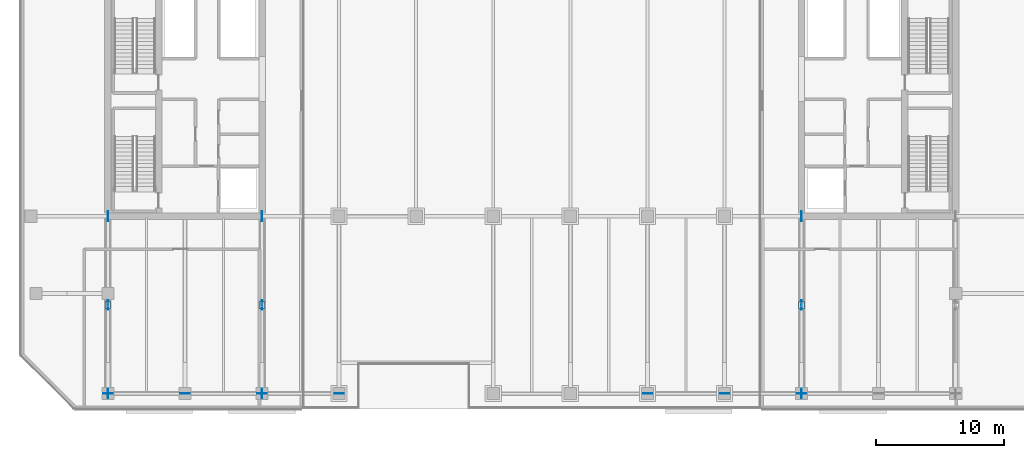
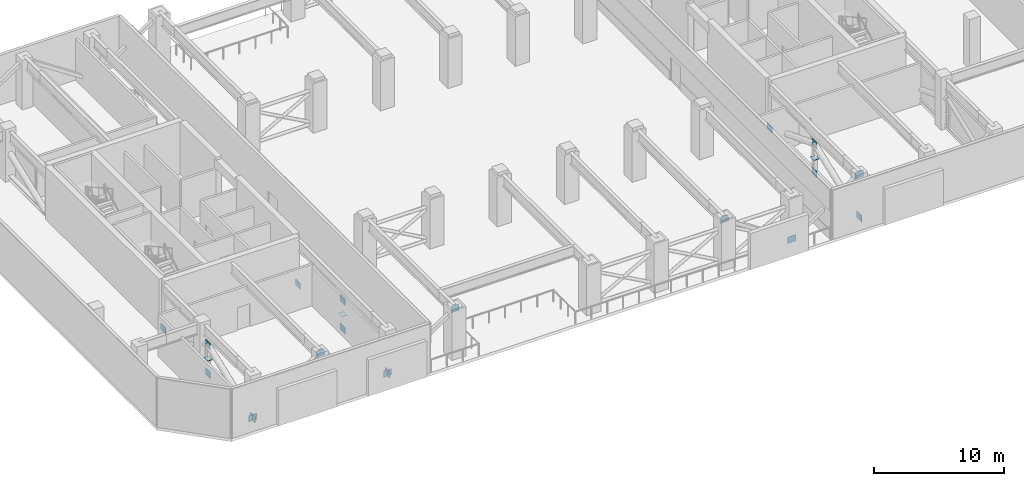
# One storey, part 10 of 21: 22 plates.
"""IFC4 building model written with IfcOpenShell, lengths in metres."""

from ifc_helpers import new_model, si_unit, direction, frame, origin, origin_2d, place, context, subcontext, project, spatial, rectangle, extrude, material, layer, layer_set, type_object, element, save


model = new_model("IFC4")

# Units and contexts
model_context = context("Model", 3, precision=1e-05, world=origin(), true_north=direction((0.0, 1.0)))
body_context = subcontext(model_context, "Body", "Model", "MODEL_VIEW")
ifc_project = project(units=[si_unit("LENGTHUNIT", "METRE"), si_unit("AREAUNIT", "SQUARE_METRE"), si_unit("VOLUMEUNIT", "CUBIC_METRE"), si_unit("PLANEANGLEUNIT", "RADIAN"), si_unit("MASSUNIT", "GRAM", prefix="KILO")], contexts=[model_context])

# Site, building, storey
site_placement = place(None, origin())
site = spatial("IfcSite", under=ifc_project, at=site_placement, CompositionType="ELEMENT")
building_placement = place(site_placement, origin())
building = spatial("IfcBuilding", under=site, at=building_placement, Name="Tanjung Sevakor Pilgrim Tower", CompositionType="ELEMENT")
storey_placement = place(building_placement, frame((0.0, 0.0, 123.090087890625)))
storey = spatial("IfcBuildingStorey", under=building, at=storey_placement, Name="L34", CompositionType="ELEMENT", Elevation=123.090087890625)

# Plates
ifc_material_1 = material(Name="Steel S460M", Category="steel")
ifc_layer_1 = layer(ifc_material_1, 0.028076171875)
ifc_layer_set_1 = layer_set([ifc_layer_1], Name="PL-CAP-28")
plate_type_1 = type_object("IfcPlateType", Name="PL-CAP-28", PredefinedType="USERDEFINED", material=ifc_layer_set_1)
for number, where, z_axis, x_axis, name in (
    (1, (24.0, 17.699951171875, 1.6806640625), (0.0, 0.0, 1.0), (1.0, 0.0, 0.0), "L34 Hollow End Cap Plate 009"),
    (2, (36.0, 17.699951171875, 1.6806640625), (0.0, 0.0, 1.0), (1.0, 0.0, 0.0), "L34 Hollow End Cap Plate 011"),
    (3, (78.0, 17.699951171875, 1.6806640625), (0.0, 0.0, 1.0), (1.0, 0.0, 0.0), "L34 Hollow End Cap Plate 013"),
):
    element("IfcPlate", number, at=place(storey_placement, frame(where, z_axis=z_axis, x_axis=x_axis)), inside=storey, type_object=plate_type_1, Name=name, ObjectType="CAP PLATE", PredefinedType="USERDEFINED", context=body_context, shape_type="SweptSolid", body=[
        extrude(rectangle(XDim=0.43994140625, YDim=0.56005859375, at=origin_2d()), origin(), (0.0, 0.0, 1.0), 0.028076171875),
    ])
ifc_material_2 = material(Name="Steel S460M", Category="steel")
ifc_layer_2 = layer(ifc_material_2, 0.031982421875)
ifc_layer_set_2 = layer_set([ifc_layer_2], Name="PL-GUSSET-32")
plate_type_2 = type_object("IfcPlateType", Name="PL-GUSSET-32", PredefinedType="USERDEFINED", material=ifc_layer_set_2)
for number, where, z_axis, x_axis, name in (
    (4, (24.0, 10.800048828125, 0.0498046875), (0.0, 0.0, 1.0), (1.0, 0.0, 0.0), "L34 Outrigger Gusset 051"),
    (5, (24.0, 17.699951171875, 0.0498046875), (0.0, 0.0, 1.0), (1.0, 0.0, 0.0), "L34 Outrigger Gusset 052"),
    (6, (24.0, 24.60009765625, 0.0498046875), (0.0, 0.0, 1.0), (1.0, 0.0, 0.0), "L34 Core Wall Cast-In Embed Plate 053"),
    (7, (24.0, 17.699951171875, 2.73974609375), (0.0, 0.0, 1.0), (1.0, 0.0, 0.0), "L34 Outrigger Gusset 054"),
    (8, (36.0, 10.800048828125, 0.0498046875), (0.0, 0.0, 1.0), (1.0, 0.0, 0.0), "L34 Outrigger Gusset 059"),
    (9, (36.0, 17.699951171875, 0.0498046875), (0.0, 0.0, 1.0), (1.0, 0.0, 0.0), "L34 Outrigger Gusset 060"),
    (10, (36.0, 24.60009765625, 0.0498046875), (0.0, 0.0, 1.0), (1.0, 0.0, 0.0), "L34 Core Wall Cast-In Embed Plate 061"),
    (11, (36.0, 17.699951171875, 2.73974609375), (0.0, 0.0, 1.0), (1.0, 0.0, 0.0), "L34 Outrigger Gusset 062"),
    (12, (78.0, 10.800048828125, 0.0498046875), (0.0, 0.0, 1.0), (1.0, 0.0, 0.0), "L34 Outrigger Gusset 067"),
    (13, (78.0, 17.699951171875, 0.0498046875), (0.0, 0.0, 1.0), (1.0, 0.0, 0.0), "L34 Outrigger Gusset 068"),
    (14, (78.0, 24.60009765625, 0.0498046875), (0.0, 0.0, 1.0), (1.0, 0.0, 0.0), "L34 Core Wall Cast-In Embed Plate 069"),
    (15, (78.0, 17.699951171875, 2.73974609375), (0.0, 0.0, 1.0), (1.0, 0.0, 0.0), "L34 Outrigger Gusset 070"),
):
    element("IfcPlate", number, at=place(storey_placement, frame(where, z_axis=z_axis, x_axis=x_axis)), inside=storey, type_object=plate_type_2, Name=name, ObjectType="GUSSET PLATE", PredefinedType="USERDEFINED", context=body_context, shape_type="SweptSolid", body=[
        extrude(rectangle(XDim=0.031982421875, YDim=0.760009765625, at=origin_2d()), origin(), (0.0, 0.0, 1.0), 0.60009765625),
    ])
for number, where, z_axis, x_axis, name in (
    (16, (24.0, 10.800048828125, 0.0498046875), (0.0, 0.0, 1.0), (1.0, 0.0, 0.0), "L34 Belt Truss Node Gusset 083"),
    (17, (30.0, 10.800048828125, 4.035888671875), (0.0, 0.0, 1.0), (1.0, 0.0, 0.0), "L34 Belt Truss Node Gusset 084"),
    (18, (36.0, 10.800048828125, 0.0498046875), (0.0, 0.0, 1.0), (1.0, 0.0, 0.0), "L34 Belt Truss Node Gusset 085"),
    (19, (42.0, 10.800048828125, 4.035888671875), (0.0, 0.0, 1.0), (1.0, 0.0, 0.0), "L34 Belt Truss Node Gusset 086"),
    (20, (66.0, 10.800048828125, 4.035888671875), (0.0, 0.0, 1.0), (1.0, 0.0, 0.0), "L34 Belt Truss Node Gusset 087"),
    (21, (72.0, 10.800048828125, 0.0498046875), (0.0, 0.0, 1.0), (1.0, 0.0, 0.0), "L34 Belt Truss Node Gusset 088"),
    (22, (78.0, 10.800048828125, 4.035888671875), (0.0, 0.0, 1.0), (1.0, 0.0, 0.0), "L34 Belt Truss Node Gusset 089"),
):
    element("IfcPlate", number, at=place(storey_placement, frame(where, z_axis=z_axis, x_axis=x_axis)), inside=storey, type_object=plate_type_2, Name=name, ObjectType="GUSSET PLATE", PredefinedType="USERDEFINED", context=body_context, shape_type="SweptSolid", body=[
        extrude(rectangle(XDim=0.719970703125, YDim=0.031982421875, at=origin_2d()), origin(), (0.0, 0.0, 1.0), 0.60009765625),
    ])

save(model, "model.ifc")
